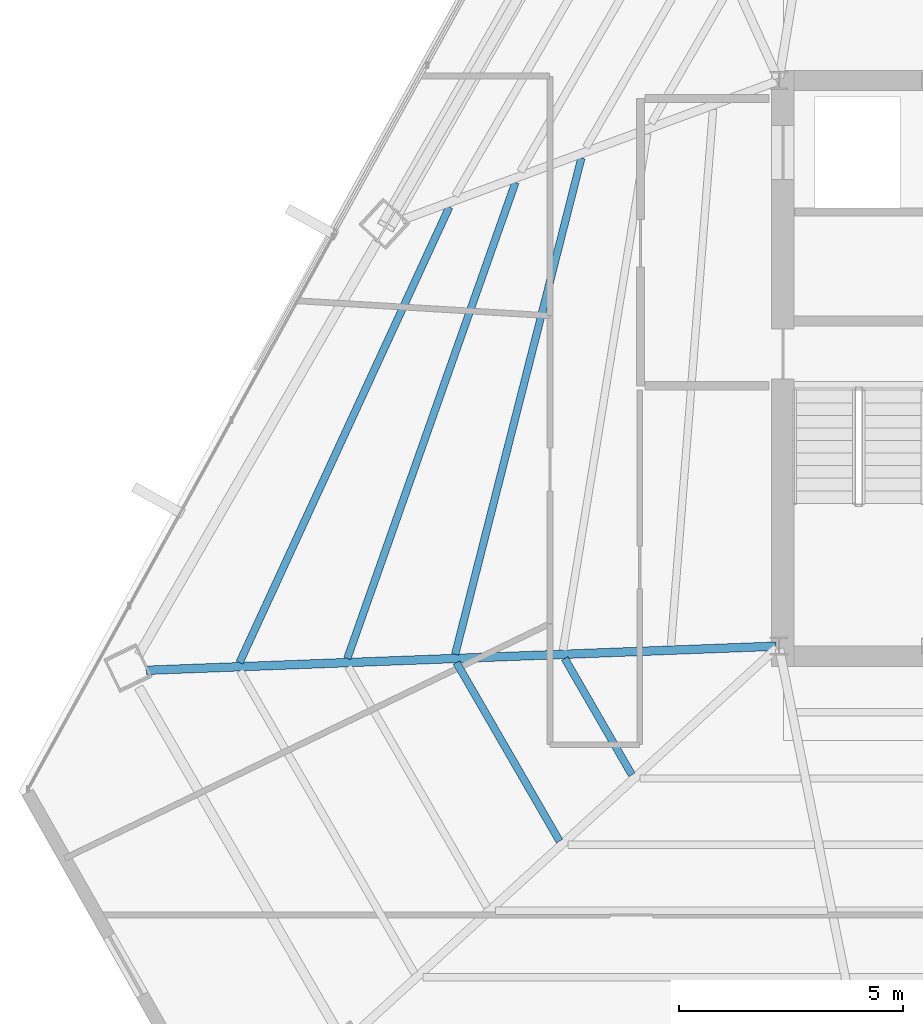
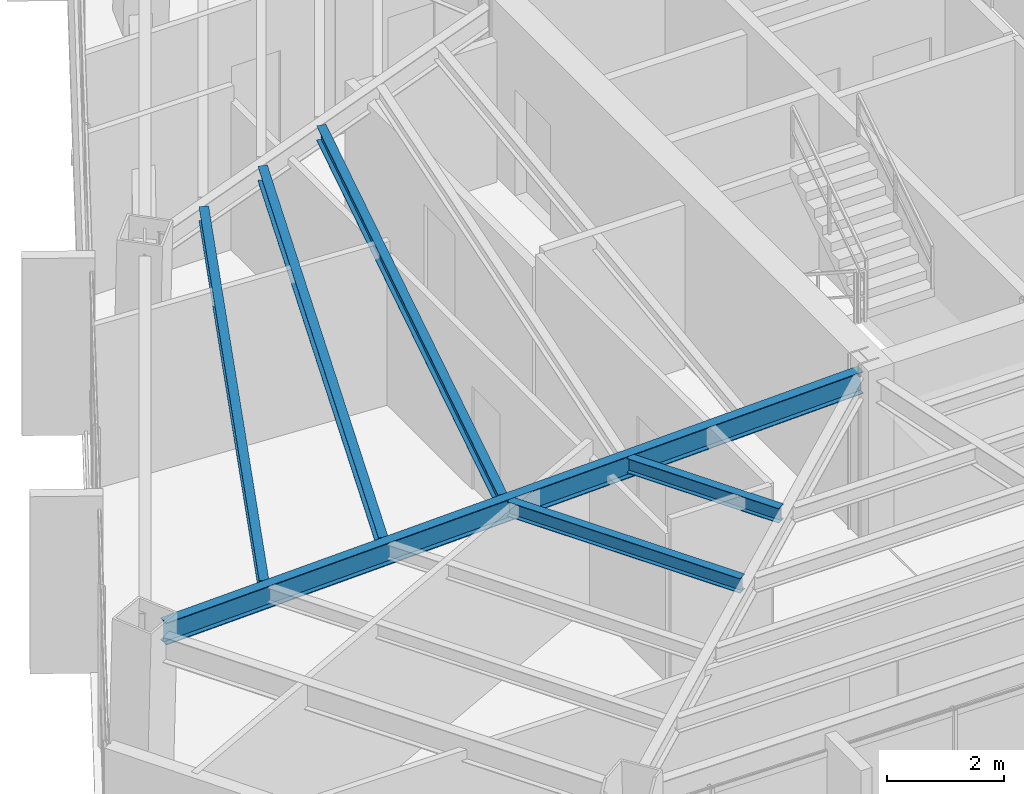
# One storey, part 8 of 40: 6 beams.
"""IFC4 building model written with IfcOpenShell, lengths in metres."""

from ifc_helpers import new_model, si_unit, direction, frame, origin, origin_2d, place, context, subcontext, project, spatial, i_section, extrude, source, transform, mapped, material, material_profile, profile_set, type_object, type_shapes, element, save


model = new_model("IFC4")

# Units and contexts
model_context = context("Model", 3, precision=1e-05, world=origin(), true_north=direction((0.0, 1.0)))
body_context = subcontext(model_context, "Body", "Model", "MODEL_VIEW")
ifc_project = project(units=[si_unit("LENGTHUNIT", "METRE"), si_unit("AREAUNIT", "SQUARE_METRE"), si_unit("VOLUMEUNIT", "CUBIC_METRE"), si_unit("PLANEANGLEUNIT", "RADIAN"), si_unit("MASSUNIT", "GRAM", prefix="KILO")], contexts=[model_context])

# Site, building, storey
site_placement = place(None, origin())
site = spatial("IfcSite", under=ifc_project, at=site_placement, CompositionType="ELEMENT")
building_placement = place(site_placement, origin())
building = spatial("IfcBuilding", under=site, at=building_placement, Name="Caelisora Broadcast Tower", CompositionType="ELEMENT")
storey_placement = place(building_placement, frame((0.0, 0.0, 213.25)))
storey = spatial("IfcBuildingStorey", under=building, at=storey_placement, Name="L56", CompositionType="ELEMENT", Elevation=213.25)

# Beams
ifc_material = material(Name="Steel Grade 350 (AS/NZS 3679.1)", Category="steel")
ifc_material_profile_1 = material_profile(ifc_material, i_section(OverallWidth=0.19091796875, OverallDepth=0.46044921875, WebThickness=0.010009765625, FlangeThickness=0.01611328125, at=origin_2d()), Name="Steel Grade 350 (AS/NZS 3679.1)")
ifc_profile_set_1 = profile_set([ifc_material_profile_1], Name="Steel Grade 350 (AS/NZS 3679.1)")
beam_type_1 = type_object("IfcBeamType", Name="PG06", PredefinedType="BEAM", material=ifc_profile_set_1)
shared_shape_1 = source(origin(), body_context, "Body", "SweptSolid", [
    extrude(i_section(OverallWidth=0.19091796875, OverallDepth=0.46044921875, WebThickness=0.010009765625, FlangeThickness=0.01611328125, at=origin_2d()), origin(), (0.0, 0.0, 1.0), 14.0458984375),
])
type_shapes(beam_type_1, [shared_shape_1])
beam_1_placement = place(storey_placement, frame((30.43994140625, 17.397705078125, 3.169921875), z_axis=(-0.999265942354, -0.038308960462, 0.0), x_axis=(0.038308960462, -0.999265942354, 0.0)))
element("IfcBeam", 1, at=beam_1_placement, inside=storey, type_object=beam_type_1, Name="L56 beam PG06", PredefinedType="BEAM", context=body_context, shape_type="MappedRepresentation", body=[
    mapped(shared_shape_1, transform((0.0, 0.0, 0.0), scale=1.0)),
])
ifc_material_profile_2 = material_profile(ifc_material, i_section(OverallWidth=0.166015625, OverallDepth=0.30712890625, WebThickness=0.006591796875, FlangeThickness=0.01171875, at=origin_2d()), Name="Steel Grade 350 (AS/NZS 3679.1)")
ifc_profile_set_2 = profile_set([ifc_material_profile_2], Name="Steel Grade 350 (AS/NZS 3679.1)")
beam_type_2 = type_object("IfcBeamType", Name="SB03", PredefinedType="JOIST", material=ifc_profile_set_2)
shared_shape_2 = source(origin(), body_context, "Body", "SweptSolid", [
    extrude(i_section(OverallWidth=0.166015625, OverallDepth=0.30712890625, WebThickness=0.006591796875, FlangeThickness=0.01171875, at=origin_2d()), origin(), (0.0, 0.0, 1.0), 11.408935546875),
])
beam_2_placement = place(storey_placement, frame((26.10009765625, 28.273193359375, 3.246337890625), z_axis=(-0.246476112261, -0.969148866834, 0.0), x_axis=(0.969148866834, -0.246476112261, 0.0)))
element("IfcBeam", 2, at=beam_2_placement, inside=storey, type_object=beam_type_2, Name="L56 beam SB03", PredefinedType="JOIST", context=body_context, shape_type="MappedRepresentation", body=[
    mapped(shared_shape_2, transform((0.0, 0.0, 0.0), scale=1.0)),
])
shared_shape_3 = source(origin(), body_context, "Body", "SweptSolid", [
    extrude(i_section(OverallWidth=0.166015625, OverallDepth=0.30712890625, WebThickness=0.006591796875, FlangeThickness=0.01171875, at=origin_2d()), origin(), (0.0, 0.0, 1.0), 11.24658203125),
])
beam_3_placement = place(storey_placement, frame((24.630126953125, 27.729248046875, 3.246337890625), z_axis=(-0.332954101542, -0.942943034476, 0.0), x_axis=(0.942943034476, -0.332954101542, 0.0)))
element("IfcBeam", 3, at=beam_3_placement, inside=storey, type_object=beam_type_2, Name="L56 beam SB03", PredefinedType="JOIST", context=body_context, shape_type="MappedRepresentation", body=[
    mapped(shared_shape_3, transform((0.0, 0.0, 0.0), scale=1.0)),
])
shared_shape_4 = source(origin(), body_context, "Body", "SweptSolid", [
    extrude(i_section(OverallWidth=0.166015625, OverallDepth=0.30712890625, WebThickness=0.006591796875, FlangeThickness=0.01171875, at=origin_2d()), origin(), (0.0, 0.0, 1.0), 11.176513671875),
])
beam_4_placement = place(storey_placement, frame((23.157958984375, 27.184326171875, 3.246337890625), z_axis=(-0.418208837571, -0.908350905861, 0.0), x_axis=(0.908350905861, -0.418208837571, 0.0)))
element("IfcBeam", 4, at=beam_4_placement, inside=storey, type_object=beam_type_2, Name="L56 beam SB03", PredefinedType="JOIST", context=body_context, shape_type="MappedRepresentation", body=[
    mapped(shared_shape_4, transform((0.0, 0.0, 0.0), scale=1.0)),
])
shared_shape_5 = source(origin(), body_context, "Body", "SweptSolid", [
    extrude(i_section(OverallWidth=0.166015625, OverallDepth=0.30712890625, WebThickness=0.006591796875, FlangeThickness=0.01171875, at=origin_2d()), origin(), (0.0, 0.0, 1.0), 2.9931640625),
])
beam_5_placement = place(storey_placement, frame((25.728759765625, 17.124267578125, 3.246337890625), z_axis=(0.499981332661, -0.866036181109, 0.0), x_axis=(0.866036181109, 0.499981332661, 0.0)))
element("IfcBeam", 5, at=beam_5_placement, inside=storey, type_object=beam_type_2, Name="L56 beam SB03", PredefinedType="JOIST", context=body_context, shape_type="MappedRepresentation", body=[
    mapped(shared_shape_5, transform((0.0, 0.0, 0.0), scale=1.0)),
])
shared_shape_6 = source(origin(), body_context, "Body", "SweptSolid", [
    extrude(i_section(OverallWidth=0.166015625, OverallDepth=0.30712890625, WebThickness=0.006591796875, FlangeThickness=0.01171875, at=origin_2d()), origin(), (0.0, 0.0, 1.0), 4.58984375),
])
type_shapes(beam_type_2, [shared_shape_2, shared_shape_3, shared_shape_4, shared_shape_5, shared_shape_6])
beam_6_placement = place(storey_placement, frame((23.31689453125, 17.03173828125, 3.246337890625), z_axis=(0.500006393711, -0.866021712342, 0.0), x_axis=(0.866021712342, 0.500006393711, 0.0)))
element("IfcBeam", 6, at=beam_6_placement, inside=storey, type_object=beam_type_2, Name="L56 beam SB03", PredefinedType="JOIST", context=body_context, shape_type="MappedRepresentation", body=[
    mapped(shared_shape_6, transform((0.0, 0.0, 0.0), scale=1.0)),
])

save(model, "model.ifc")
